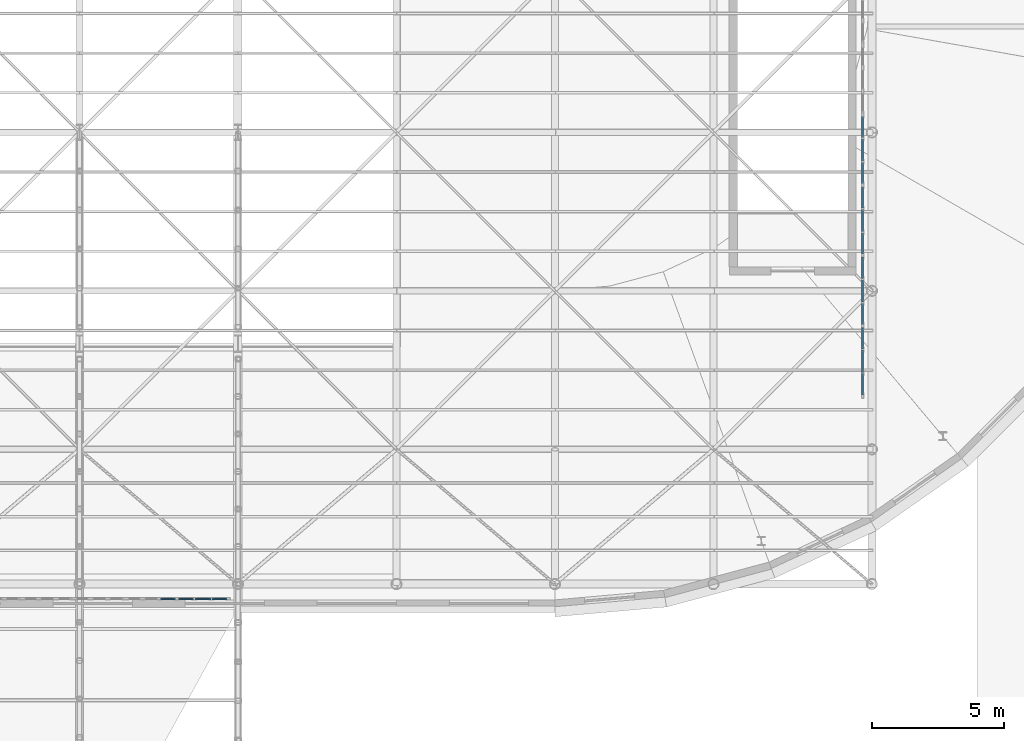
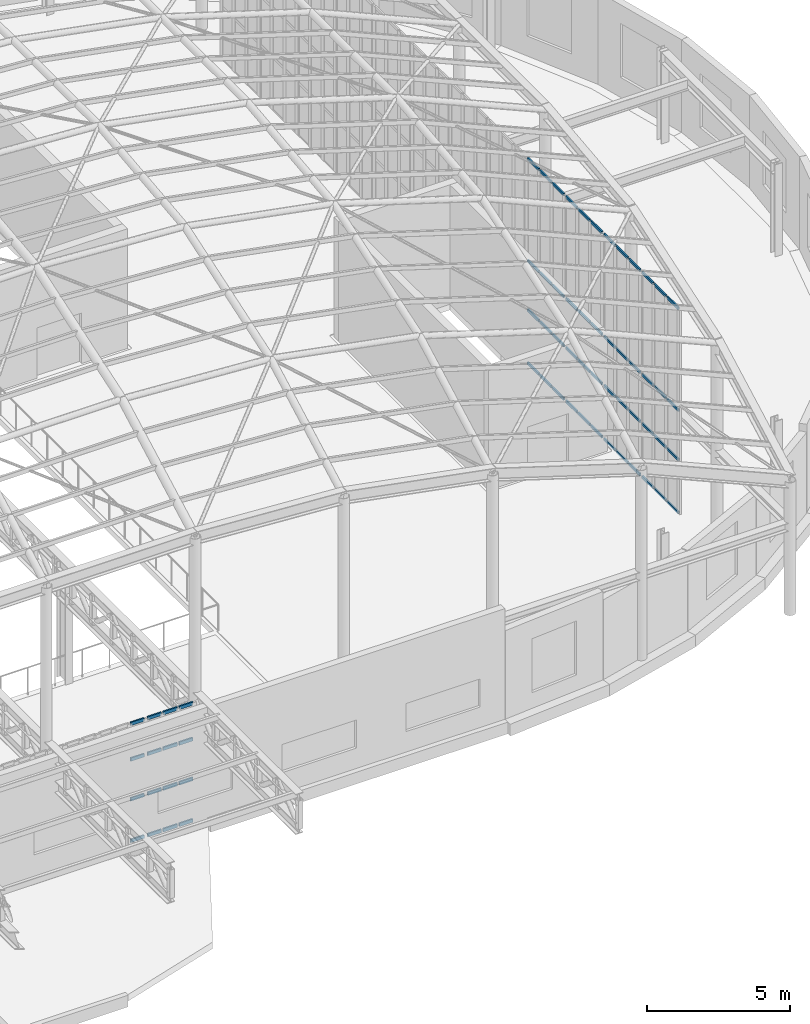
# One storey, part 47 of 75: 64 members, 6 elements without a shape of their own.
"""IFC4 building model written with IfcOpenShell, lengths in metres."""

from ifc_helpers import new_model, si_unit, direction, frame, origin, origin_2d, place, context, subcontext, project, spatial, rectangle, extrude, material, material_profile, profile_set, type_object, element, aggregate, save


model = new_model("IFC4")

# Units and contexts
model_context = context("Model", 3, precision=1e-05, world=origin(), true_north=direction((0.0, 1.0)))
body_context = subcontext(model_context, "Body", "Model", "MODEL_VIEW")
ifc_project = project(units=[si_unit("LENGTHUNIT", "METRE"), si_unit("AREAUNIT", "SQUARE_METRE"), si_unit("VOLUMEUNIT", "CUBIC_METRE"), si_unit("PLANEANGLEUNIT", "RADIAN"), si_unit("MASSUNIT", "GRAM", prefix="KILO")], contexts=[model_context])

# Site, building, storey
site_placement = place(None, origin())
site = spatial("IfcSite", under=ifc_project, at=site_placement, CompositionType="ELEMENT")
building_placement = place(site_placement, origin())
building = spatial("IfcBuilding", under=site, at=building_placement, Name="Kolvaren Corner Interchange", CompositionType="ELEMENT")
storey_placement = place(building_placement, frame((0.0, 0.0, 10.5)))
storey = spatial("IfcBuildingStorey", under=building, at=storey_placement, Name="L03", CompositionType="ELEMENT", Elevation=10.5)

# Curtain wall, members
ifc_material_1 = material(Name="Unitised Aluminium and Solar-Control Glass Curtain Wall", Category="aluminium")
curtain_wall_type_1 = type_object("IfcCurtainWallType", Name="CW-V1-CLER", PredefinedType="NOTDEFINED", material=ifc_material_1)
curtain_wall_1_placement = place(storey_placement, origin())
curtain_wall_1 = element("IfcCurtainWall", 1, at=curtain_wall_1_placement, inside=storey, type_object=curtain_wall_type_1, Name="Gridshell East End Curtain Wall Bay 01", PredefinedType="NOTDEFINED")
ifc_material_2 = material(Name="Anodised Aluminium Framing", Category="aluminium")
ifc_material_profile_1 = material_profile(ifc_material_2, rectangle(XDim=0.06005859375, YDim=0.110107421875, at=origin_2d()), Name="ALU 60x110")
ifc_profile_set_1 = profile_set([ifc_material_profile_1], Name="Anodised Aluminium Framing")
member_type_1 = type_object("IfcMemberType", Name="TRN-ALU60x110", PredefinedType="USERDEFINED", material=ifc_profile_set_1)
member_1_placement = place(storey_placement, frame((131.64990234375, 32.070068359375, 0.030029296875), z_axis=(0.0, 1.0, 0.0), x_axis=(-1.0, 0.0, 0.0)))
member_1 = element("IfcMember", 2, at=member_1_placement, type_object=member_type_1, Name="CW-094 transom 1.1", ObjectType="TRANSOM", PredefinedType="USERDEFINED", context=body_context, shape_type="SweptSolid", body=[
    extrude(rectangle(XDim=0.06005859375, YDim=0.110107421875, at=origin_2d()), origin(), (0.0, 0.0, 1.0), 0.783935546875),
])
member_2_placement = place(storey_placement, frame((131.64990234375, 32.070068359375, 2.300048828125), z_axis=(0.0, 1.0, 0.0), x_axis=(-1.0, 0.0, 0.0)))
member_2 = element("IfcMember", 3, at=member_2_placement, type_object=member_type_1, Name="CW-094 transom 1.2", ObjectType="TRANSOM", PredefinedType="USERDEFINED", context=body_context, shape_type="SweptSolid", body=[
    extrude(rectangle(XDim=0.06005859375, YDim=0.110107421875, at=origin_2d()), origin(), (0.0, 0.0, 1.0), 0.783935546875),
])
member_3_placement = place(storey_placement, frame((131.64990234375, 32.070068359375, 4.39990234375), z_axis=(0.0, 1.0, 0.0), x_axis=(-1.0, 0.0, 0.0)))
member_3 = element("IfcMember", 4, at=member_3_placement, type_object=member_type_1, Name="CW-094 transom 1.3", ObjectType="TRANSOM", PredefinedType="USERDEFINED", context=body_context, shape_type="SweptSolid", body=[
    extrude(rectangle(XDim=0.06005859375, YDim=0.110107421875, at=origin_2d()), origin(), (0.0, 0.0, 1.0), 0.783935546875),
])
member_4_placement = place(storey_placement, frame((131.64990234375, 32.070068359375, 8.741943359375), z_axis=(0.0, 1.0, 0.0), x_axis=(-1.0, 0.0, 0.0)))
member_4 = element("IfcMember", 5, at=member_4_placement, type_object=member_type_1, Name="CW-094 transom 1.4", ObjectType="TRANSOM", PredefinedType="USERDEFINED", context=body_context, shape_type="SweptSolid", body=[
    extrude(rectangle(XDim=0.06005859375, YDim=0.110107421875, at=origin_2d()), origin(), (0.0, 0.0, 1.0), 0.783935546875),
])
member_5_placement = place(storey_placement, frame((131.64990234375, 32.923828125, 0.030029296875), z_axis=(0.0, 1.0, 0.0), x_axis=(-1.0, 0.0, 0.0)))
member_5 = element("IfcMember", 6, at=member_5_placement, type_object=member_type_1, Name="CW-094 transom 2.1", ObjectType="TRANSOM", PredefinedType="USERDEFINED", context=body_context, shape_type="SweptSolid", body=[
    extrude(rectangle(XDim=0.06005859375, YDim=0.110107421875, at=origin_2d()), origin(), (0.0, 0.0, 1.0), 0.819091796875),
])
member_6_placement = place(storey_placement, frame((131.64990234375, 32.923828125, 2.300048828125), z_axis=(0.0, 1.0, 0.0), x_axis=(-1.0, 0.0, 0.0)))
member_6 = element("IfcMember", 7, at=member_6_placement, type_object=member_type_1, Name="CW-094 transom 2.2", ObjectType="TRANSOM", PredefinedType="USERDEFINED", context=body_context, shape_type="SweptSolid", body=[
    extrude(rectangle(XDim=0.06005859375, YDim=0.110107421875, at=origin_2d()), origin(), (0.0, 0.0, 1.0), 0.819091796875),
])
member_7_placement = place(storey_placement, frame((131.64990234375, 32.923828125, 4.39990234375), z_axis=(0.0, 1.0, 0.0), x_axis=(-1.0, 0.0, 0.0)))
member_7 = element("IfcMember", 8, at=member_7_placement, type_object=member_type_1, Name="CW-094 transom 2.3", ObjectType="TRANSOM", PredefinedType="USERDEFINED", context=body_context, shape_type="SweptSolid", body=[
    extrude(rectangle(XDim=0.06005859375, YDim=0.110107421875, at=origin_2d()), origin(), (0.0, 0.0, 1.0), 0.819091796875),
])
member_8_placement = place(storey_placement, frame((131.64990234375, 32.923828125, 8.741943359375), z_axis=(0.0, 1.0, 0.0), x_axis=(-1.0, 0.0, 0.0)))
member_8 = element("IfcMember", 9, at=member_8_placement, type_object=member_type_1, Name="CW-094 transom 2.4", ObjectType="TRANSOM", PredefinedType="USERDEFINED", context=body_context, shape_type="SweptSolid", body=[
    extrude(rectangle(XDim=0.06005859375, YDim=0.110107421875, at=origin_2d()), origin(), (0.0, 0.0, 1.0), 0.819091796875),
])
member_9_placement = place(storey_placement, frame((131.64990234375, 33.812744140625, 0.030029296875), z_axis=(0.0, 1.0, 0.0), x_axis=(-1.0, 0.0, 0.0)))
member_9 = element("IfcMember", 10, at=member_9_placement, type_object=member_type_1, Name="CW-094 transom 3.1", ObjectType="TRANSOM", PredefinedType="USERDEFINED", context=body_context, shape_type="SweptSolid", body=[
    extrude(rectangle(XDim=0.06005859375, YDim=0.110107421875, at=origin_2d()), origin(), (0.0, 0.0, 1.0), 0.783935546875),
])
member_10_placement = place(storey_placement, frame((131.64990234375, 33.812744140625, 2.300048828125), z_axis=(0.0, 1.0, 0.0), x_axis=(-1.0, 0.0, 0.0)))
member_10 = element("IfcMember", 11, at=member_10_placement, type_object=member_type_1, Name="CW-094 transom 3.2", ObjectType="TRANSOM", PredefinedType="USERDEFINED", context=body_context, shape_type="SweptSolid", body=[
    extrude(rectangle(XDim=0.06005859375, YDim=0.110107421875, at=origin_2d()), origin(), (0.0, 0.0, 1.0), 0.783935546875),
])
member_11_placement = place(storey_placement, frame((131.64990234375, 33.812744140625, 4.39990234375), z_axis=(0.0, 1.0, 0.0), x_axis=(-1.0, 0.0, 0.0)))
member_11 = element("IfcMember", 12, at=member_11_placement, type_object=member_type_1, Name="CW-094 transom 3.3", ObjectType="TRANSOM", PredefinedType="USERDEFINED", context=body_context, shape_type="SweptSolid", body=[
    extrude(rectangle(XDim=0.06005859375, YDim=0.110107421875, at=origin_2d()), origin(), (0.0, 0.0, 1.0), 0.783935546875),
])
member_12_placement = place(storey_placement, frame((131.64990234375, 33.812744140625, 8.741943359375), z_axis=(0.0, 1.0, 0.0), x_axis=(-1.0, 0.0, 0.0)))
member_12 = element("IfcMember", 13, at=member_12_placement, type_object=member_type_1, Name="CW-094 transom 3.4", ObjectType="TRANSOM", PredefinedType="USERDEFINED", context=body_context, shape_type="SweptSolid", body=[
    extrude(rectangle(XDim=0.06005859375, YDim=0.110107421875, at=origin_2d()), origin(), (0.0, 0.0, 1.0), 0.783935546875),
])
aggregate(curtain_wall_1, [member_1, member_2, member_3, member_4, member_5, member_6, member_7, member_8, member_9, member_10, member_11, member_12])

curtain_wall_2_placement = place(storey_placement, origin())
curtain_wall_2 = element("IfcCurtainWall", 14, at=curtain_wall_2_placement, inside=storey, type_object=curtain_wall_type_1, Name="Gridshell East End Curtain Wall Bay 02", PredefinedType="NOTDEFINED")
member_13_placement = place(storey_placement, frame((131.64990234375, 34.73681640625, 0.030029296875), z_axis=(0.0, 1.0, 0.0), x_axis=(-1.0, 0.0, 0.0)))
member_13 = element("IfcMember", 15, at=member_13_placement, type_object=member_type_1, Name="CW-095 transom 1.1", ObjectType="TRANSOM", PredefinedType="USERDEFINED", context=body_context, shape_type="SweptSolid", body=[
    extrude(rectangle(XDim=0.06005859375, YDim=0.110107421875, at=origin_2d()), origin(), (0.0, 0.0, 1.0), 0.78369140625),
])
member_14_placement = place(storey_placement, frame((131.64990234375, 34.73681640625, 2.300048828125), z_axis=(0.0, 1.0, 0.0), x_axis=(-1.0, 0.0, 0.0)))
member_14 = element("IfcMember", 16, at=member_14_placement, type_object=member_type_1, Name="CW-095 transom 1.2", ObjectType="TRANSOM", PredefinedType="USERDEFINED", context=body_context, shape_type="SweptSolid", body=[
    extrude(rectangle(XDim=0.06005859375, YDim=0.110107421875, at=origin_2d()), origin(), (0.0, 0.0, 1.0), 0.78369140625),
])
member_15_placement = place(storey_placement, frame((131.64990234375, 34.73681640625, 4.39990234375), z_axis=(0.0, 1.0, 0.0), x_axis=(-1.0, 0.0, 0.0)))
member_15 = element("IfcMember", 17, at=member_15_placement, type_object=member_type_1, Name="CW-095 transom 1.3", ObjectType="TRANSOM", PredefinedType="USERDEFINED", context=body_context, shape_type="SweptSolid", body=[
    extrude(rectangle(XDim=0.06005859375, YDim=0.110107421875, at=origin_2d()), origin(), (0.0, 0.0, 1.0), 0.78369140625),
])
member_16_placement = place(storey_placement, frame((131.64990234375, 34.73681640625, 8.741943359375), z_axis=(0.0, 1.0, 0.0), x_axis=(-1.0, 0.0, 0.0)))
member_16 = element("IfcMember", 18, at=member_16_placement, type_object=member_type_1, Name="CW-095 transom 1.4", ObjectType="TRANSOM", PredefinedType="USERDEFINED", context=body_context, shape_type="SweptSolid", body=[
    extrude(rectangle(XDim=0.06005859375, YDim=0.110107421875, at=origin_2d()), origin(), (0.0, 0.0, 1.0), 0.78369140625),
])
member_17_placement = place(storey_placement, frame((131.64990234375, 35.590576171875, 0.030029296875), z_axis=(0.0, 1.0, 0.0), x_axis=(-1.0, 0.0, 0.0)))
member_17 = element("IfcMember", 19, at=member_17_placement, type_object=member_type_1, Name="CW-095 transom 2.1", ObjectType="TRANSOM", PredefinedType="USERDEFINED", context=body_context, shape_type="SweptSolid", body=[
    extrude(rectangle(XDim=0.06005859375, YDim=0.110107421875, at=origin_2d()), origin(), (0.0, 0.0, 1.0), 0.81884765625),
])
member_18_placement = place(storey_placement, frame((131.64990234375, 35.590576171875, 2.300048828125), z_axis=(0.0, 1.0, 0.0), x_axis=(-1.0, 0.0, 0.0)))
member_18 = element("IfcMember", 20, at=member_18_placement, type_object=member_type_1, Name="CW-095 transom 2.2", ObjectType="TRANSOM", PredefinedType="USERDEFINED", context=body_context, shape_type="SweptSolid", body=[
    extrude(rectangle(XDim=0.06005859375, YDim=0.110107421875, at=origin_2d()), origin(), (0.0, 0.0, 1.0), 0.81884765625),
])
member_19_placement = place(storey_placement, frame((131.64990234375, 35.590576171875, 4.39990234375), z_axis=(0.0, 1.0, 0.0), x_axis=(-1.0, 0.0, 0.0)))
member_19 = element("IfcMember", 21, at=member_19_placement, type_object=member_type_1, Name="CW-095 transom 2.3", ObjectType="TRANSOM", PredefinedType="USERDEFINED", context=body_context, shape_type="SweptSolid", body=[
    extrude(rectangle(XDim=0.06005859375, YDim=0.110107421875, at=origin_2d()), origin(), (0.0, 0.0, 1.0), 0.81884765625),
])
member_20_placement = place(storey_placement, frame((131.64990234375, 35.590576171875, 8.741943359375), z_axis=(0.0, 1.0, 0.0), x_axis=(-1.0, 0.0, 0.0)))
member_20 = element("IfcMember", 22, at=member_20_placement, type_object=member_type_1, Name="CW-095 transom 2.4", ObjectType="TRANSOM", PredefinedType="USERDEFINED", context=body_context, shape_type="SweptSolid", body=[
    extrude(rectangle(XDim=0.06005859375, YDim=0.110107421875, at=origin_2d()), origin(), (0.0, 0.0, 1.0), 0.81884765625),
])
member_21_placement = place(storey_placement, frame((131.64990234375, 36.4794921875, 0.030029296875), z_axis=(0.0, 1.0, 0.0), x_axis=(-1.0, 0.0, 0.0)))
member_21 = element("IfcMember", 23, at=member_21_placement, type_object=member_type_1, Name="CW-095 transom 3.1", ObjectType="TRANSOM", PredefinedType="USERDEFINED", context=body_context, shape_type="SweptSolid", body=[
    extrude(rectangle(XDim=0.06005859375, YDim=0.110107421875, at=origin_2d()), origin(), (0.0, 0.0, 1.0), 0.78369140625),
])
member_22_placement = place(storey_placement, frame((131.64990234375, 36.4794921875, 2.300048828125), z_axis=(0.0, 1.0, 0.0), x_axis=(-1.0, 0.0, 0.0)))
member_22 = element("IfcMember", 24, at=member_22_placement, type_object=member_type_1, Name="CW-095 transom 3.2", ObjectType="TRANSOM", PredefinedType="USERDEFINED", context=body_context, shape_type="SweptSolid", body=[
    extrude(rectangle(XDim=0.06005859375, YDim=0.110107421875, at=origin_2d()), origin(), (0.0, 0.0, 1.0), 0.78369140625),
])
member_23_placement = place(storey_placement, frame((131.64990234375, 36.4794921875, 4.39990234375), z_axis=(0.0, 1.0, 0.0), x_axis=(-1.0, 0.0, 0.0)))
member_23 = element("IfcMember", 25, at=member_23_placement, type_object=member_type_1, Name="CW-095 transom 3.3", ObjectType="TRANSOM", PredefinedType="USERDEFINED", context=body_context, shape_type="SweptSolid", body=[
    extrude(rectangle(XDim=0.06005859375, YDim=0.110107421875, at=origin_2d()), origin(), (0.0, 0.0, 1.0), 0.78369140625),
])
member_24_placement = place(storey_placement, frame((131.64990234375, 36.4794921875, 8.741943359375), z_axis=(0.0, 1.0, 0.0), x_axis=(-1.0, 0.0, 0.0)))
member_24 = element("IfcMember", 26, at=member_24_placement, type_object=member_type_1, Name="CW-095 transom 3.4", ObjectType="TRANSOM", PredefinedType="USERDEFINED", context=body_context, shape_type="SweptSolid", body=[
    extrude(rectangle(XDim=0.06005859375, YDim=0.110107421875, at=origin_2d()), origin(), (0.0, 0.0, 1.0), 0.78369140625),
])
aggregate(curtain_wall_2, [member_13, member_14, member_15, member_16, member_17, member_18, member_19, member_20, member_21, member_22, member_23, member_24])

curtain_wall_3_placement = place(storey_placement, origin())
curtain_wall_3 = element("IfcCurtainWall", 27, at=curtain_wall_3_placement, inside=storey, type_object=curtain_wall_type_1, Name="Gridshell East End Curtain Wall Bay 03", PredefinedType="NOTDEFINED")
member_25_placement = place(storey_placement, frame((131.64990234375, 37.4033203125, 0.030029296875), z_axis=(0.0, 1.0, 0.0), x_axis=(-1.0, 0.0, 0.0)))
member_25 = element("IfcMember", 28, at=member_25_placement, type_object=member_type_1, Name="CW-096 transom 1.1", ObjectType="TRANSOM", PredefinedType="USERDEFINED", context=body_context, shape_type="SweptSolid", body=[
    extrude(rectangle(XDim=0.06005859375, YDim=0.110107421875, at=origin_2d()), origin(), (0.0, 0.0, 1.0), 0.783935546875),
])
member_26_placement = place(storey_placement, frame((131.64990234375, 37.4033203125, 2.300048828125), z_axis=(0.0, 1.0, 0.0), x_axis=(-1.0, 0.0, 0.0)))
member_26 = element("IfcMember", 29, at=member_26_placement, type_object=member_type_1, Name="CW-096 transom 1.2", ObjectType="TRANSOM", PredefinedType="USERDEFINED", context=body_context, shape_type="SweptSolid", body=[
    extrude(rectangle(XDim=0.06005859375, YDim=0.110107421875, at=origin_2d()), origin(), (0.0, 0.0, 1.0), 0.783935546875),
])
member_27_placement = place(storey_placement, frame((131.64990234375, 37.4033203125, 4.39990234375), z_axis=(0.0, 1.0, 0.0), x_axis=(-1.0, 0.0, 0.0)))
member_27 = element("IfcMember", 30, at=member_27_placement, type_object=member_type_1, Name="CW-096 transom 1.3", ObjectType="TRANSOM", PredefinedType="USERDEFINED", context=body_context, shape_type="SweptSolid", body=[
    extrude(rectangle(XDim=0.06005859375, YDim=0.110107421875, at=origin_2d()), origin(), (0.0, 0.0, 1.0), 0.783935546875),
])
member_28_placement = place(storey_placement, frame((131.64990234375, 37.4033203125, 8.741943359375), z_axis=(0.0, 1.0, 0.0), x_axis=(-1.0, 0.0, 0.0)))
member_28 = element("IfcMember", 31, at=member_28_placement, type_object=member_type_1, Name="CW-096 transom 1.4", ObjectType="TRANSOM", PredefinedType="USERDEFINED", context=body_context, shape_type="SweptSolid", body=[
    extrude(rectangle(XDim=0.06005859375, YDim=0.110107421875, at=origin_2d()), origin(), (0.0, 0.0, 1.0), 0.783935546875),
])
member_29_placement = place(storey_placement, frame((131.64990234375, 38.257080078125, 0.030029296875), z_axis=(0.0, 1.0, 0.0), x_axis=(-1.0, 0.0, 0.0)))
member_29 = element("IfcMember", 32, at=member_29_placement, type_object=member_type_1, Name="CW-096 transom 2.1", ObjectType="TRANSOM", PredefinedType="USERDEFINED", context=body_context, shape_type="SweptSolid", body=[
    extrude(rectangle(XDim=0.06005859375, YDim=0.110107421875, at=origin_2d()), origin(), (0.0, 0.0, 1.0), 0.819091796875),
])
member_30_placement = place(storey_placement, frame((131.64990234375, 38.257080078125, 2.300048828125), z_axis=(0.0, 1.0, 0.0), x_axis=(-1.0, 0.0, 0.0)))
member_30 = element("IfcMember", 33, at=member_30_placement, type_object=member_type_1, Name="CW-096 transom 2.2", ObjectType="TRANSOM", PredefinedType="USERDEFINED", context=body_context, shape_type="SweptSolid", body=[
    extrude(rectangle(XDim=0.06005859375, YDim=0.110107421875, at=origin_2d()), origin(), (0.0, 0.0, 1.0), 0.819091796875),
])
member_31_placement = place(storey_placement, frame((131.64990234375, 38.257080078125, 4.39990234375), z_axis=(0.0, 1.0, 0.0), x_axis=(-1.0, 0.0, 0.0)))
member_31 = element("IfcMember", 34, at=member_31_placement, type_object=member_type_1, Name="CW-096 transom 2.3", ObjectType="TRANSOM", PredefinedType="USERDEFINED", context=body_context, shape_type="SweptSolid", body=[
    extrude(rectangle(XDim=0.06005859375, YDim=0.110107421875, at=origin_2d()), origin(), (0.0, 0.0, 1.0), 0.819091796875),
])
member_32_placement = place(storey_placement, frame((131.64990234375, 38.257080078125, 8.741943359375), z_axis=(0.0, 1.0, 0.0), x_axis=(-1.0, 0.0, 0.0)))
member_32 = element("IfcMember", 35, at=member_32_placement, type_object=member_type_1, Name="CW-096 transom 2.4", ObjectType="TRANSOM", PredefinedType="USERDEFINED", context=body_context, shape_type="SweptSolid", body=[
    extrude(rectangle(XDim=0.06005859375, YDim=0.110107421875, at=origin_2d()), origin(), (0.0, 0.0, 1.0), 0.819091796875),
])
member_33_placement = place(storey_placement, frame((131.64990234375, 39.14599609375, 0.030029296875), z_axis=(0.0, 1.0, 0.0), x_axis=(-1.0, 0.0, 0.0)))
member_33 = element("IfcMember", 36, at=member_33_placement, type_object=member_type_1, Name="CW-096 transom 3.1", ObjectType="TRANSOM", PredefinedType="USERDEFINED", context=body_context, shape_type="SweptSolid", body=[
    extrude(rectangle(XDim=0.06005859375, YDim=0.110107421875, at=origin_2d()), origin(), (0.0, 0.0, 1.0), 0.783935546875),
])
member_34_placement = place(storey_placement, frame((131.64990234375, 39.14599609375, 2.300048828125), z_axis=(0.0, 1.0, 0.0), x_axis=(-1.0, 0.0, 0.0)))
member_34 = element("IfcMember", 37, at=member_34_placement, type_object=member_type_1, Name="CW-096 transom 3.2", ObjectType="TRANSOM", PredefinedType="USERDEFINED", context=body_context, shape_type="SweptSolid", body=[
    extrude(rectangle(XDim=0.06005859375, YDim=0.110107421875, at=origin_2d()), origin(), (0.0, 0.0, 1.0), 0.783935546875),
])
member_35_placement = place(storey_placement, frame((131.64990234375, 39.14599609375, 4.39990234375), z_axis=(0.0, 1.0, 0.0), x_axis=(-1.0, 0.0, 0.0)))
member_35 = element("IfcMember", 38, at=member_35_placement, type_object=member_type_1, Name="CW-096 transom 3.3", ObjectType="TRANSOM", PredefinedType="USERDEFINED", context=body_context, shape_type="SweptSolid", body=[
    extrude(rectangle(XDim=0.06005859375, YDim=0.110107421875, at=origin_2d()), origin(), (0.0, 0.0, 1.0), 0.783935546875),
])
member_36_placement = place(storey_placement, frame((131.64990234375, 39.14599609375, 8.741943359375), z_axis=(0.0, 1.0, 0.0), x_axis=(-1.0, 0.0, 0.0)))
member_36 = element("IfcMember", 39, at=member_36_placement, type_object=member_type_1, Name="CW-096 transom 3.4", ObjectType="TRANSOM", PredefinedType="USERDEFINED", context=body_context, shape_type="SweptSolid", body=[
    extrude(rectangle(XDim=0.06005859375, YDim=0.110107421875, at=origin_2d()), origin(), (0.0, 0.0, 1.0), 0.783935546875),
])
aggregate(curtain_wall_3, [member_25, member_26, member_27, member_28, member_29, member_30, member_31, member_32, member_33, member_34, member_35, member_36])

curtain_wall_4_placement = place(storey_placement, origin())
curtain_wall_4 = element("IfcCurtainWall", 40, at=curtain_wall_4_placement, inside=storey, type_object=curtain_wall_type_1, Name="Gridshell East End Curtain Wall Bay 04", PredefinedType="NOTDEFINED")
member_37_placement = place(storey_placement, frame((131.64990234375, 40.070068359375, 0.030029296875), z_axis=(0.0, 1.0, 0.0), x_axis=(-1.0, 0.0, 0.0)))
member_37 = element("IfcMember", 41, at=member_37_placement, type_object=member_type_1, Name="CW-097 transom 1.1", ObjectType="TRANSOM", PredefinedType="USERDEFINED", context=body_context, shape_type="SweptSolid", body=[
    extrude(rectangle(XDim=0.06005859375, YDim=0.110107421875, at=origin_2d()), origin(), (0.0, 0.0, 1.0), 0.783935546875),
])
member_38_placement = place(storey_placement, frame((131.64990234375, 40.070068359375, 2.300048828125), z_axis=(0.0, 1.0, 0.0), x_axis=(-1.0, 0.0, 0.0)))
member_38 = element("IfcMember", 42, at=member_38_placement, type_object=member_type_1, Name="CW-097 transom 1.2", ObjectType="TRANSOM", PredefinedType="USERDEFINED", context=body_context, shape_type="SweptSolid", body=[
    extrude(rectangle(XDim=0.06005859375, YDim=0.110107421875, at=origin_2d()), origin(), (0.0, 0.0, 1.0), 0.783935546875),
])
member_39_placement = place(storey_placement, frame((131.64990234375, 40.070068359375, 4.39990234375), z_axis=(0.0, 1.0, 0.0), x_axis=(-1.0, 0.0, 0.0)))
member_39 = element("IfcMember", 43, at=member_39_placement, type_object=member_type_1, Name="CW-097 transom 1.3", ObjectType="TRANSOM", PredefinedType="USERDEFINED", context=body_context, shape_type="SweptSolid", body=[
    extrude(rectangle(XDim=0.06005859375, YDim=0.110107421875, at=origin_2d()), origin(), (0.0, 0.0, 1.0), 0.783935546875),
])
member_40_placement = place(storey_placement, frame((131.64990234375, 40.070068359375, 8.741943359375), z_axis=(0.0, 1.0, 0.0), x_axis=(-1.0, 0.0, 0.0)))
member_40 = element("IfcMember", 44, at=member_40_placement, type_object=member_type_1, Name="CW-097 transom 1.4", ObjectType="TRANSOM", PredefinedType="USERDEFINED", context=body_context, shape_type="SweptSolid", body=[
    extrude(rectangle(XDim=0.06005859375, YDim=0.110107421875, at=origin_2d()), origin(), (0.0, 0.0, 1.0), 0.783935546875),
])
member_41_placement = place(storey_placement, frame((131.64990234375, 40.923828125, 0.030029296875), z_axis=(0.0, 1.0, 0.0), x_axis=(-1.0, 0.0, 0.0)))
member_41 = element("IfcMember", 45, at=member_41_placement, type_object=member_type_1, Name="CW-097 transom 2.1", ObjectType="TRANSOM", PredefinedType="USERDEFINED", context=body_context, shape_type="SweptSolid", body=[
    extrude(rectangle(XDim=0.06005859375, YDim=0.110107421875, at=origin_2d()), origin(), (0.0, 0.0, 1.0), 0.819091796875),
])
member_42_placement = place(storey_placement, frame((131.64990234375, 40.923828125, 2.300048828125), z_axis=(0.0, 1.0, 0.0), x_axis=(-1.0, 0.0, 0.0)))
member_42 = element("IfcMember", 46, at=member_42_placement, type_object=member_type_1, Name="CW-097 transom 2.2", ObjectType="TRANSOM", PredefinedType="USERDEFINED", context=body_context, shape_type="SweptSolid", body=[
    extrude(rectangle(XDim=0.06005859375, YDim=0.110107421875, at=origin_2d()), origin(), (0.0, 0.0, 1.0), 0.819091796875),
])
member_43_placement = place(storey_placement, frame((131.64990234375, 40.923828125, 4.39990234375), z_axis=(0.0, 1.0, 0.0), x_axis=(-1.0, 0.0, 0.0)))
member_43 = element("IfcMember", 47, at=member_43_placement, type_object=member_type_1, Name="CW-097 transom 2.3", ObjectType="TRANSOM", PredefinedType="USERDEFINED", context=body_context, shape_type="SweptSolid", body=[
    extrude(rectangle(XDim=0.06005859375, YDim=0.110107421875, at=origin_2d()), origin(), (0.0, 0.0, 1.0), 0.819091796875),
])
member_44_placement = place(storey_placement, frame((131.64990234375, 40.923828125, 8.741943359375), z_axis=(0.0, 1.0, 0.0), x_axis=(-1.0, 0.0, 0.0)))
member_44 = element("IfcMember", 48, at=member_44_placement, type_object=member_type_1, Name="CW-097 transom 2.4", ObjectType="TRANSOM", PredefinedType="USERDEFINED", context=body_context, shape_type="SweptSolid", body=[
    extrude(rectangle(XDim=0.06005859375, YDim=0.110107421875, at=origin_2d()), origin(), (0.0, 0.0, 1.0), 0.819091796875),
])
member_45_placement = place(storey_placement, frame((131.64990234375, 41.812744140625, 0.030029296875), z_axis=(0.0, 1.0, 0.0), x_axis=(-1.0, 0.0, 0.0)))
member_45 = element("IfcMember", 49, at=member_45_placement, type_object=member_type_1, Name="CW-097 transom 3.1", ObjectType="TRANSOM", PredefinedType="USERDEFINED", context=body_context, shape_type="SweptSolid", body=[
    extrude(rectangle(XDim=0.06005859375, YDim=0.110107421875, at=origin_2d()), origin(), (0.0, 0.0, 1.0), 0.783935546875),
])
member_46_placement = place(storey_placement, frame((131.64990234375, 41.812744140625, 2.300048828125), z_axis=(0.0, 1.0, 0.0), x_axis=(-1.0, 0.0, 0.0)))
member_46 = element("IfcMember", 50, at=member_46_placement, type_object=member_type_1, Name="CW-097 transom 3.2", ObjectType="TRANSOM", PredefinedType="USERDEFINED", context=body_context, shape_type="SweptSolid", body=[
    extrude(rectangle(XDim=0.06005859375, YDim=0.110107421875, at=origin_2d()), origin(), (0.0, 0.0, 1.0), 0.783935546875),
])
member_47_placement = place(storey_placement, frame((131.64990234375, 41.812744140625, 4.39990234375), z_axis=(0.0, 1.0, 0.0), x_axis=(-1.0, 0.0, 0.0)))
member_47 = element("IfcMember", 51, at=member_47_placement, type_object=member_type_1, Name="CW-097 transom 3.3", ObjectType="TRANSOM", PredefinedType="USERDEFINED", context=body_context, shape_type="SweptSolid", body=[
    extrude(rectangle(XDim=0.06005859375, YDim=0.110107421875, at=origin_2d()), origin(), (0.0, 0.0, 1.0), 0.783935546875),
])
member_48_placement = place(storey_placement, frame((131.64990234375, 41.812744140625, 8.741943359375), z_axis=(0.0, 1.0, 0.0), x_axis=(-1.0, 0.0, 0.0)))
member_48 = element("IfcMember", 52, at=member_48_placement, type_object=member_type_1, Name="CW-097 transom 3.4", ObjectType="TRANSOM", PredefinedType="USERDEFINED", context=body_context, shape_type="SweptSolid", body=[
    extrude(rectangle(XDim=0.06005859375, YDim=0.110107421875, at=origin_2d()), origin(), (0.0, 0.0, 1.0), 0.783935546875),
])
aggregate(curtain_wall_4, [member_37, member_38, member_39, member_40, member_41, member_42, member_43, member_44, member_45, member_46, member_47, member_48])

ifc_material_3 = material(Name="Unitised Aluminium and Solar-Control Glass Curtain Wall", Category="aluminium")
curtain_wall_type_2 = type_object("IfcCurtainWallType", Name="CW-V1-UPPER", PredefinedType="NOTDEFINED", material=ifc_material_3)
curtain_wall_5_placement = place(storey_placement, origin())
curtain_wall_5 = element("IfcCurtainWall", 53, at=curtain_wall_5_placement, inside=storey, type_object=curtain_wall_type_2, Name="South Portal Upper Curtain Wall Bay 17", PredefinedType="NOTDEFINED")
ifc_material_4 = material(Name="Anodised Aluminium Framing", Category="aluminium")
ifc_material_profile_2 = material_profile(ifc_material_4, rectangle(XDim=0.06005859375, YDim=0.139892578125, at=origin_2d()), Name="ALU 60x140")
ifc_profile_set_2 = profile_set([ifc_material_profile_2], Name="Anodised Aluminium Framing")
member_type_2 = type_object("IfcMemberType", Name="TRN-ALU60x140", PredefinedType="USERDEFINED", material=ifc_profile_set_2)
member_49_placement = place(storey_placement, frame((105.0703125, 24.340087890625, 0.030029296875), z_axis=(1.0, 0.0, 0.0), x_axis=(0.0, 1.0, 0.0)))
member_49 = element("IfcMember", 54, at=member_49_placement, type_object=member_type_2, Name="CW-053 transom 3.1", ObjectType="TRANSOM", PredefinedType="USERDEFINED", context=body_context, shape_type="SweptSolid", body=[
    extrude(rectangle(XDim=0.06005859375, YDim=0.139892578125, at=origin_2d()), origin(), (0.0, 0.0, 1.0), 0.548583984375),
])
member_50_placement = place(storey_placement, frame((105.0703125, 24.340087890625, 1.800048828125), z_axis=(1.0, 0.0, 0.0), x_axis=(0.0, 1.0, 0.0)))
member_50 = element("IfcMember", 55, at=member_50_placement, type_object=member_type_2, Name="CW-053 transom 3.2", ObjectType="TRANSOM", PredefinedType="USERDEFINED", context=body_context, shape_type="SweptSolid", body=[
    extrude(rectangle(XDim=0.06005859375, YDim=0.139892578125, at=origin_2d()), origin(), (0.0, 0.0, 1.0), 0.548583984375),
])
member_51_placement = place(storey_placement, frame((105.0703125, 24.340087890625, 3.5), z_axis=(1.0, 0.0, 0.0), x_axis=(0.0, 1.0, 0.0)))
member_51 = element("IfcMember", 56, at=member_51_placement, type_object=member_type_2, Name="CW-053 transom 3.3", ObjectType="TRANSOM", PredefinedType="USERDEFINED", context=body_context, shape_type="SweptSolid", body=[
    extrude(rectangle(XDim=0.06005859375, YDim=0.139892578125, at=origin_2d()), origin(), (0.0, 0.0, 1.0), 0.548583984375),
])
member_52_placement = place(storey_placement, frame((105.0703125, 24.340087890625, 5.02001953125), z_axis=(1.0, 0.0, 0.0), x_axis=(0.0, 1.0, 0.0)))
member_52 = element("IfcMember", 57, at=member_52_placement, type_object=member_type_2, Name="CW-053 transom 3.4", ObjectType="TRANSOM", PredefinedType="USERDEFINED", context=body_context, shape_type="SweptSolid", body=[
    extrude(rectangle(XDim=0.06005859375, YDim=0.139892578125, at=origin_2d()), origin(), (0.0, 0.0, 1.0), 0.548583984375),
])
aggregate(curtain_wall_5, [member_49, member_50, member_51, member_52])

curtain_wall_6_placement = place(storey_placement, origin())
curtain_wall_6 = element("IfcCurtainWall", 58, at=curtain_wall_6_placement, inside=storey, type_object=curtain_wall_type_2, Name="South Portal Upper Curtain Wall Bay 18", PredefinedType="NOTDEFINED")
member_53_placement = place(storey_placement, frame((105.7587890625, 24.340087890625, 0.030029296875), z_axis=(1.0, 0.0, 0.0), x_axis=(0.0, 1.0, 0.0)))
member_53 = element("IfcMember", 59, at=member_53_placement, type_object=member_type_2, Name="CW-054 transom 1.1", ObjectType="TRANSOM", PredefinedType="USERDEFINED", context=body_context, shape_type="SweptSolid", body=[
    extrude(rectangle(XDim=0.06005859375, YDim=0.139892578125, at=origin_2d()), origin(), (0.0, 0.0, 1.0), 0.548828125),
])
member_54_placement = place(storey_placement, frame((105.7587890625, 24.340087890625, 1.800048828125), z_axis=(1.0, 0.0, 0.0), x_axis=(0.0, 1.0, 0.0)))
member_54 = element("IfcMember", 60, at=member_54_placement, type_object=member_type_2, Name="CW-054 transom 1.2", ObjectType="TRANSOM", PredefinedType="USERDEFINED", context=body_context, shape_type="SweptSolid", body=[
    extrude(rectangle(XDim=0.06005859375, YDim=0.139892578125, at=origin_2d()), origin(), (0.0, 0.0, 1.0), 0.548828125),
])
member_55_placement = place(storey_placement, frame((105.7587890625, 24.340087890625, 3.5), z_axis=(1.0, 0.0, 0.0), x_axis=(0.0, 1.0, 0.0)))
member_55 = element("IfcMember", 61, at=member_55_placement, type_object=member_type_2, Name="CW-054 transom 1.3", ObjectType="TRANSOM", PredefinedType="USERDEFINED", context=body_context, shape_type="SweptSolid", body=[
    extrude(rectangle(XDim=0.06005859375, YDim=0.139892578125, at=origin_2d()), origin(), (0.0, 0.0, 1.0), 0.548828125),
])
member_56_placement = place(storey_placement, frame((105.7587890625, 24.340087890625, 5.02001953125), z_axis=(1.0, 0.0, 0.0), x_axis=(0.0, 1.0, 0.0)))
member_56 = element("IfcMember", 62, at=member_56_placement, type_object=member_type_2, Name="CW-054 transom 1.4", ObjectType="TRANSOM", PredefinedType="USERDEFINED", context=body_context, shape_type="SweptSolid", body=[
    extrude(rectangle(XDim=0.06005859375, YDim=0.139892578125, at=origin_2d()), origin(), (0.0, 0.0, 1.0), 0.548828125),
])
member_57_placement = place(storey_placement, frame((106.377685546875, 24.340087890625, 0.030029296875), z_axis=(1.0, 0.0, 0.0), x_axis=(0.0, 1.0, 0.0)))
member_57 = element("IfcMember", 63, at=member_57_placement, type_object=member_type_2, Name="CW-054 transom 2.1", ObjectType="TRANSOM", PredefinedType="USERDEFINED", context=body_context, shape_type="SweptSolid", body=[
    extrude(rectangle(XDim=0.06005859375, YDim=0.139892578125, at=origin_2d()), origin(), (0.0, 0.0, 1.0), 0.58349609375),
])
member_58_placement = place(storey_placement, frame((106.377685546875, 24.340087890625, 1.800048828125), z_axis=(1.0, 0.0, 0.0), x_axis=(0.0, 1.0, 0.0)))
member_58 = element("IfcMember", 64, at=member_58_placement, type_object=member_type_2, Name="CW-054 transom 2.2", ObjectType="TRANSOM", PredefinedType="USERDEFINED", context=body_context, shape_type="SweptSolid", body=[
    extrude(rectangle(XDim=0.06005859375, YDim=0.139892578125, at=origin_2d()), origin(), (0.0, 0.0, 1.0), 0.58349609375),
])
member_59_placement = place(storey_placement, frame((106.377685546875, 24.340087890625, 3.5), z_axis=(1.0, 0.0, 0.0), x_axis=(0.0, 1.0, 0.0)))
member_59 = element("IfcMember", 65, at=member_59_placement, type_object=member_type_2, Name="CW-054 transom 2.3", ObjectType="TRANSOM", PredefinedType="USERDEFINED", context=body_context, shape_type="SweptSolid", body=[
    extrude(rectangle(XDim=0.06005859375, YDim=0.139892578125, at=origin_2d()), origin(), (0.0, 0.0, 1.0), 0.58349609375),
])
member_60_placement = place(storey_placement, frame((106.377685546875, 24.340087890625, 5.02001953125), z_axis=(1.0, 0.0, 0.0), x_axis=(0.0, 1.0, 0.0)))
member_60 = element("IfcMember", 66, at=member_60_placement, type_object=member_type_2, Name="CW-054 transom 2.4", ObjectType="TRANSOM", PredefinedType="USERDEFINED", context=body_context, shape_type="SweptSolid", body=[
    extrude(rectangle(XDim=0.06005859375, YDim=0.139892578125, at=origin_2d()), origin(), (0.0, 0.0, 1.0), 0.58349609375),
])
member_61_placement = place(storey_placement, frame((107.03125, 24.340087890625, 0.030029296875), z_axis=(1.0, 0.0, 0.0), x_axis=(0.0, 1.0, 0.0)))
member_61 = element("IfcMember", 67, at=member_61_placement, type_object=member_type_2, Name="CW-054 transom 3.1", ObjectType="TRANSOM", PredefinedType="USERDEFINED", context=body_context, shape_type="SweptSolid", body=[
    extrude(rectangle(XDim=0.06005859375, YDim=0.139892578125, at=origin_2d()), origin(), (0.0, 0.0, 1.0), 0.548828125),
])
member_62_placement = place(storey_placement, frame((107.03125, 24.340087890625, 1.800048828125), z_axis=(1.0, 0.0, 0.0), x_axis=(0.0, 1.0, 0.0)))
member_62 = element("IfcMember", 68, at=member_62_placement, type_object=member_type_2, Name="CW-054 transom 3.2", ObjectType="TRANSOM", PredefinedType="USERDEFINED", context=body_context, shape_type="SweptSolid", body=[
    extrude(rectangle(XDim=0.06005859375, YDim=0.139892578125, at=origin_2d()), origin(), (0.0, 0.0, 1.0), 0.548828125),
])
member_63_placement = place(storey_placement, frame((107.03125, 24.340087890625, 3.5), z_axis=(1.0, 0.0, 0.0), x_axis=(0.0, 1.0, 0.0)))
member_63 = element("IfcMember", 69, at=member_63_placement, type_object=member_type_2, Name="CW-054 transom 3.3", ObjectType="TRANSOM", PredefinedType="USERDEFINED", context=body_context, shape_type="SweptSolid", body=[
    extrude(rectangle(XDim=0.06005859375, YDim=0.139892578125, at=origin_2d()), origin(), (0.0, 0.0, 1.0), 0.548828125),
])
member_64_placement = place(storey_placement, frame((107.03125, 24.340087890625, 5.02001953125), z_axis=(1.0, 0.0, 0.0), x_axis=(0.0, 1.0, 0.0)))
member_64 = element("IfcMember", 70, at=member_64_placement, type_object=member_type_2, Name="CW-054 transom 3.4", ObjectType="TRANSOM", PredefinedType="USERDEFINED", context=body_context, shape_type="SweptSolid", body=[
    extrude(rectangle(XDim=0.06005859375, YDim=0.139892578125, at=origin_2d()), origin(), (0.0, 0.0, 1.0), 0.548828125),
])
aggregate(curtain_wall_6, [member_53, member_54, member_55, member_56, member_57, member_58, member_59, member_60, member_61, member_62, member_63, member_64])

save(model, "model.ifc")
